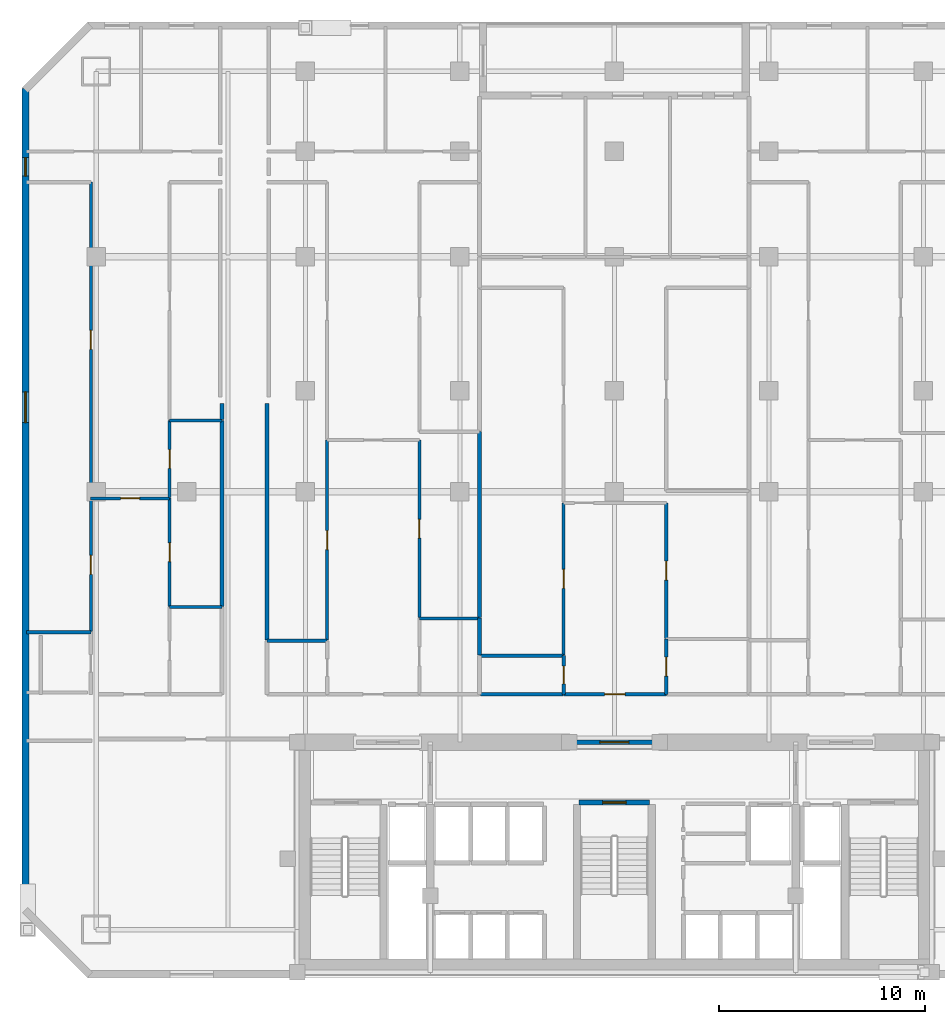
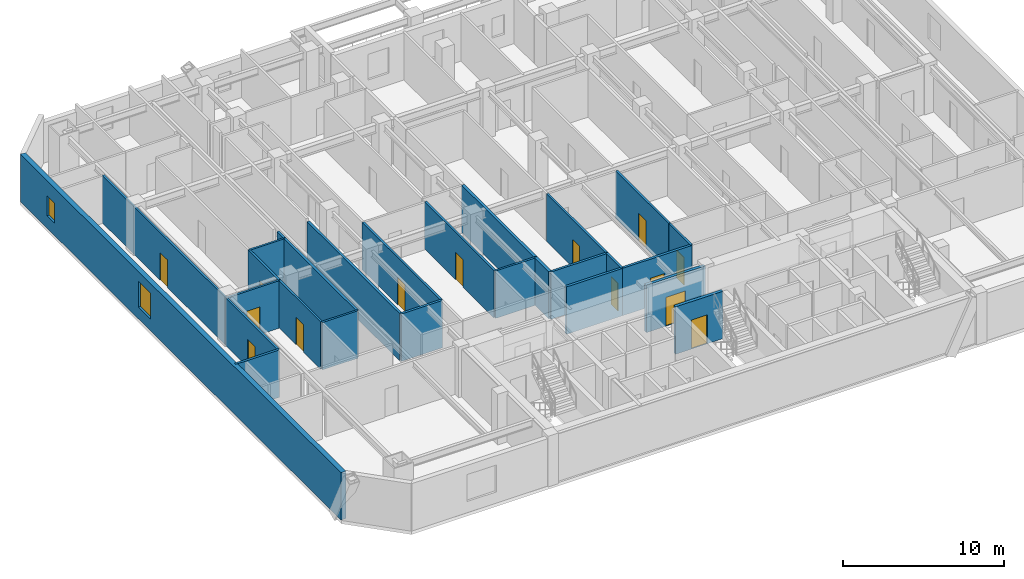
# One storey, part 4 of 10: 27 walls, 14 doors, 2 windows, 16 openings.
"""IFC4 building model written with IfcOpenShell, lengths in metres."""

from ifc_helpers import new_model, si_unit, direction, frame, frame_2d, origin, place, context, subcontext, project, spatial, rectangle, extrude, material, layer, layer_set, type_object, element, fill, save


model = new_model("IFC4")

# Units and contexts
model_context = context("Model", 3, precision=1e-05, world=origin(), true_north=direction((0.0, 1.0)))
body_context = subcontext(model_context, "Body", "Model", "MODEL_VIEW")
ifc_project = project(units=[si_unit("LENGTHUNIT", "METRE"), si_unit("AREAUNIT", "SQUARE_METRE"), si_unit("VOLUMEUNIT", "CUBIC_METRE"), si_unit("PLANEANGLEUNIT", "RADIAN"), si_unit("MASSUNIT", "GRAM", prefix="KILO")], contexts=[model_context])

# Site, building, storey
site_placement = place(None, origin())
site = spatial("IfcSite", under=ifc_project, at=site_placement, CompositionType="ELEMENT")
building_placement = place(site_placement, origin())
building = spatial("IfcBuilding", under=site, at=building_placement, Name="Ventersveld Concourse Tower", CompositionType="ELEMENT")
storey_placement = place(building_placement, frame((0.0, 0.0, 56.75)))
storey = spatial("IfcBuildingStorey", under=building, at=storey_placement, Name="L13", CompositionType="ELEMENT", Elevation=56.75)

# Walls
ifc_material_1 = material(Name="Fire-rated autoclaved aerated masonry blockwork", Category="masonry")
ifc_layer_1 = layer(ifc_material_1, 0.179931640625)
ifc_layer_set_1 = layer_set([ifc_layer_1], Name="Fire-rated autoclaved aerated masonry blockwork")
wall_type_1 = type_object("IfcWallType", Name="WL-CORR-180", PredefinedType="PARTITIONING", material=ifc_layer_set_1)
wall_1_placement = place(storey_placement, frame((9.7099609375, 18.04052734375, 0.0), z_axis=(0.0, 0.0, 1.0), x_axis=(0.0, 1.0, 0.0)))
element("IfcWall", 1, at=wall_1_placement, inside=storey, type_object=wall_type_1, Name="L13 Interior Partition SP-L13-COR-SP-L13-13NW-DENR", PredefinedType="PARTITIONING", context=body_context, shape_type="SweptSolid", body=[
    extrude(rectangle(XDim=9.024169921875, YDim=0.179931640625, at=frame_2d((4.51220703125, 0.0))), origin(), (0.0, 0.0, 1.0), 3.60009765625),
])
wall_2_placement = place(storey_placement, frame((9.7099609375, 27.0947265625, 0.0), z_axis=(0.0, 0.0, 1.0), x_axis=(0.0, 1.0, 0.0)))
element("IfcWall", 2, at=wall_2_placement, inside=storey, type_object=wall_type_1, Name="L13 Interior Partition SP-L13-COR-SP-L13-13NW-DENS", PredefinedType="PARTITIONING", context=body_context, shape_type="SweptSolid", body=[
    extrude(rectangle(XDim=0.80029296875, YDim=0.179931640625, at=frame_2d((0.400146484375, 0.0))), origin(), (0.0, 0.0, 1.0), 3.60009765625),
])
wall_3_placement = place(storey_placement, frame((11.889892578125, 16.395751953125, 0.0), z_axis=(0.0, 0.0, 1.0), x_axis=(0.0, 1.0, 0.0)))
element("IfcWall", 3, at=wall_3_placement, inside=storey, type_object=wall_type_1, Name="L13 Interior Partition SP-L13-COR-SP-L13-13CW-DENL", PredefinedType="PARTITIONING", context=body_context, shape_type="SweptSolid", body=[
    extrude(rectangle(XDim=11.499267578125, YDim=0.179931640625, at=frame_2d((5.74951171875, 0.0))), origin(), (0.0, 0.0, 1.0), 3.60009765625),
])

# Wall, opening, door
wall_4_placement = place(storey_placement, frame((26.28173828125, 13.77001953125, 0.0), z_axis=(0.0, 0.0, 1.0), x_axis=(1.0, 0.0, 0.0)))
wall_4 = element("IfcWall", 4, at=wall_4_placement, inside=storey, type_object=wall_type_1, Name="L13 Interior Partition SP-L13-COR-SP-L13-13CM-FOY", PredefinedType="PARTITIONING", context=body_context, shape_type="SweptSolid", body=[
    extrude(rectangle(XDim=4.989990234375, YDim=0.179931640625, at=frame_2d((2.4951171875, 0.0))), origin(), (0.0, 0.0, 1.0), 3.60009765625),
])
opening_1_placement = place(wall_4_placement, frame((1.9951171875, 0.0, 0.0)))
opening_1 = element("IfcOpeningElement", 5, at=opening_1_placement, cuts=wall_4, Name="Opening FD3", PredefinedType="OPENING", context=body_context, shape_type="SweptSolid", body=[
    extrude(rectangle(XDim=1.0, YDim=2.14990234375, at=frame_2d((0.5, 1.074951171875))), frame((0.0, 0.10009765625, 0.0), z_axis=(0.0, -1.0, 0.0), x_axis=(1.0, 0.0, 0.0)), (0.0, 0.0, 1.0), 0.199951171875),
])
ifc_material_2 = material(Name="Solid-core hardwood veneer timber", Category="wood")
door_type_1 = type_object("IfcDoorType", Name="DR-FLAT-100", OperationType="NOTDEFINED", PredefinedType="DOOR", material=ifc_material_2)
door_1_placement = place(opening_1_placement, origin())
door_1 = element("IfcDoor", 6, at=door_1_placement, inside=storey, type_object=door_type_1, Name="L13 Interior Door SP-L13-COR to SP-L13-13CM-FOY (FD-L13-0548)", OperationType="SINGLE_SWING_RIGHT", OverallHeight=2.14990234375, OverallWidth=1.0, PredefinedType="DOOR", context=body_context, shape_type="SweptSolid", body=[
    extrude(rectangle(XDim=1.0, YDim=2.14990234375, at=frame_2d((0.5, 1.074951171875))), frame((0.0, 0.02490234375, 0.0), z_axis=(0.0, -1.0, 0.0), x_axis=(1.0, 0.0, 0.0)), (0.0, 0.0, 1.0), 0.050048828125),
])
fill(opening_1, door_1)

# Walls
wall_5_placement = place(storey_placement, frame((22.2451171875, 13.77001953125, 0.0), z_axis=(0.0, 0.0, 1.0), x_axis=(1.0, 0.0, 0.0)))
element("IfcWall", 7, at=wall_5_placement, inside=storey, type_object=wall_type_1, Name="L13 Interior Partition SP-L13-COR-SP-L13-13CM-BATH", PredefinedType="PARTITIONING", context=body_context, shape_type="SweptSolid", body=[
    extrude(rectangle(XDim=4.006591796875, YDim=0.179931640625, at=frame_2d((2.00341796875, 0.0))), origin(), (0.0, 0.0, 1.0), 3.60009765625),
])
ifc_layer_2 = layer(ifc_material_1, 0.199951171875)
ifc_layer_set_2 = layer_set([ifc_layer_2], Name="Fire-rated autoclaved aerated masonry blockwork")
wall_type_2 = type_object("IfcWallType", Name="WL-DEMISE-200", PredefinedType="PARTITIONING", material=ifc_layer_set_2)
wall_6_placement = place(storey_placement, frame((22.2099609375, 15.6787109375, 0.0), z_axis=(0.0, 0.0, 1.0), x_axis=(0.0, 1.0, 0.0)))
element("IfcWall", 8, at=wall_6_placement, inside=storey, type_object=wall_type_2, Name="L13 Interior Partition SP-L13-13CW-KIT-SP-L13-13CM-DENL", PredefinedType="PARTITIONING", context=body_context, shape_type="SweptSolid", body=[
    extrude(rectangle(XDim=1.78271484375, YDim=0.199951171875, at=frame_2d((0.891357421875, 0.0))), origin(), (0.0, 0.0, 1.0), 3.60009765625),
])
wall_7_placement = place(storey_placement, frame((22.2099609375, 17.491455078125, 0.0), z_axis=(0.0, 0.0, 1.0), x_axis=(0.0, 1.0, 0.0)))
element("IfcWall", 9, at=wall_7_placement, inside=storey, type_object=wall_type_2, Name="L13 Interior Partition SP-L13-13CW-DENR-SP-L13-13CM-DENL", PredefinedType="PARTITIONING", context=body_context, shape_type="SweptSolid", body=[
    extrude(rectangle(XDim=9.024169921875, YDim=0.199951171875, at=frame_2d((4.51220703125, 0.0))), origin(), (0.0, 0.0, 1.0), 3.60009765625),
])

# Wall, opening, door
ifc_layer_3 = layer(ifc_material_1, 0.219970703125)
ifc_layer_set_3 = layer_set([ifc_layer_3], Name="Fire-rated autoclaved aerated masonry blockwork")
wall_type_3 = type_object("IfcWallType", Name="WL-HOIST-220", PredefinedType="SOLIDWALL", material=ifc_layer_set_3)
wall_8_placement = place(storey_placement, frame((27.0400390625, 8.52001953125, 0.0), z_axis=(0.0, 0.0, 1.0), x_axis=(1.0, 0.0, 0.0)))
wall_8 = element("IfcWall", 10, at=wall_8_placement, inside=storey, type_object=wall_type_3, Name="L13 Escape Stair ST03 Fire Wall", PredefinedType="SOLIDWALL", context=body_context, shape_type="SweptSolid", body=[
    extrude(rectangle(XDim=3.419921875, YDim=0.219970703125, at=frame_2d((1.7099609375, 0.0))), origin(), (0.0, 0.0, 1.0), 3.60009765625),
])
opening_2_placement = place(wall_8_placement, frame((1.135009765625, 0.0, 0.0)))
opening_2 = element("IfcOpeningElement", 11, at=opening_2_placement, cuts=wall_8, Name="Opening FD1", PredefinedType="OPENING", context=body_context, shape_type="SweptSolid", body=[
    extrude(rectangle(XDim=1.14990234375, YDim=2.199951171875, at=frame_2d((0.574951171875, 1.10009765625))), frame((0.0, 0.1201171875, 0.0), z_axis=(0.0, -1.0, 0.0), x_axis=(1.0, 0.0, 0.0)), (0.0, 0.0, 1.0), 0.239990234375),
])
ifc_material_3 = material(Name="Galvanised painted steel", Category="steel")
door_type_2 = type_object("IfcDoorType", Name="DR-STAIR-115", OperationType="NOTDEFINED", PredefinedType="DOOR", material=ifc_material_3)
door_2_placement = place(opening_2_placement, origin())
door_2 = element("IfcDoor", 12, at=door_2_placement, inside=storey, type_object=door_type_2, Name="L13 Escape Stair Door ST03 (SD-L13-0533)", OperationType="SINGLE_SWING_LEFT", OverallHeight=2.199951171875, OverallWidth=1.14990234375, PredefinedType="DOOR", context=body_context, shape_type="SweptSolid", body=[
    extrude(rectangle(XDim=1.14990234375, YDim=2.199951171875, at=frame_2d((0.574951171875, 1.10009765625))), frame((0.0, 0.02490234375, 0.0), z_axis=(0.0, -1.0, 0.0), x_axis=(1.0, 0.0, 0.0)), (0.0, 0.0, 1.0), 0.050048828125),
])
fill(opening_2, door_2)

wall_9_placement = place(storey_placement, frame((26.6298828125, 11.449951171875, 0.0), z_axis=(0.0, 0.0, 1.0), x_axis=(1.0, 0.0, 0.0)))
wall_9 = element("IfcWall", 13, at=wall_9_placement, inside=storey, type_object=wall_type_3, Name="L13 Core North Fire Portal PLOB-OUT", PredefinedType="SOLIDWALL", context=body_context, shape_type="SweptSolid", body=[
    extrude(rectangle(XDim=4.240234375, YDim=0.219970703125, at=frame_2d((2.1201171875, 0.0))), origin(), (0.0, 0.0, 1.0), 3.60009765625),
])
opening_3_placement = place(wall_9_placement, frame((1.419921875, 0.0, 0.0)))
opening_3 = element("IfcOpeningElement", 14, at=opening_3_placement, cuts=wall_9, Name="Opening FD4", PredefinedType="OPENING", context=body_context, shape_type="SweptSolid", body=[
    extrude(rectangle(XDim=1.39990234375, YDim=2.199951171875, at=frame_2d((0.699951171875, 1.10009765625))), frame((0.0, 0.1201171875, 0.0), z_axis=(0.0, -1.0, 0.0), x_axis=(1.0, 0.0, 0.0)), (0.0, 0.0, 1.0), 0.239990234375),
])
door_type_3 = type_object("IfcDoorType", Name="DR-PLANT-140", OperationType="DOUBLE_DOOR_SINGLE_SWING", PredefinedType="DOOR", material=ifc_material_3)
door_3_placement = place(opening_3_placement, origin())
door_3 = element("IfcDoor", 15, at=door_3_placement, inside=storey, type_object=door_type_3, Name="L13 Core Lobby Fire Door PLOB-OUT (FD-L13-0537)", OperationType="DOUBLE_DOOR_SINGLE_SWING", OverallHeight=2.199951171875, OverallWidth=1.39990234375, PredefinedType="DOOR", context=body_context, shape_type="SweptSolid", body=[
    extrude(rectangle(XDim=1.39990234375, YDim=2.199951171875, at=frame_2d((0.699951171875, 1.10009765625))), frame((0.0, 0.02490234375, 0.0), z_axis=(0.0, -1.0, 0.0), x_axis=(1.0, 0.0, 0.0)), (0.0, 0.0, 1.0), 0.050048828125),
])
fill(opening_3, door_3)

ifc_material_4 = material(Name="Autoclaved aerated masonry blockwork", Category="masonry")
ifc_layer_4 = layer(ifc_material_4, 0.14990234375)
ifc_layer_set_4 = layer_set([ifc_layer_4], Name="Autoclaved aerated masonry blockwork")
wall_type_4 = type_object("IfcWallType", Name="WL-INT-150", PredefinedType="PARTITIONING", material=ifc_layer_set_4)
wall_10_placement = place(storey_placement, frame((3.3359375, 23.2822265625, 0.0), z_axis=(0.0, 0.0, 1.0), x_axis=(1.0, 0.0, 0.0)))
wall_10 = element("IfcWall", 16, at=wall_10_placement, inside=storey, type_object=wall_type_4, Name="L13 Interior Partition SP-L13-13NW-FOY-SP-L13-13NW-LIV", PredefinedType="PARTITIONING", context=body_context, shape_type="SweptSolid", body=[
    extrude(rectangle(XDim=3.83203125, YDim=0.14990234375, at=frame_2d((1.916015625, 0.0))), origin(), (0.0, 0.0, 1.0), 3.60009765625),
])
opening_4_placement = place(wall_10_placement, frame((1.4560546875, 0.0, 0.0)))
opening_4 = element("IfcOpeningElement", 17, at=opening_4_placement, cuts=wall_10, Name="Opening ID1", PredefinedType="OPENING", context=body_context, shape_type="SweptSolid", body=[
    extrude(rectangle(XDim=0.919921875, YDim=2.10009765625, at=frame_2d((0.4599609375, 1.050048828125))), frame((0.0, 0.0849609375, 0.0), z_axis=(0.0, -1.0, 0.0), x_axis=(1.0, 0.0, 0.0)), (0.0, 0.0, 1.0), 0.169921875),
])
door_type_4 = type_object("IfcDoorType", Name="DR-ROOM-092", OperationType="NOTDEFINED", PredefinedType="DOOR", material=ifc_material_2)
door_4_placement = place(opening_4_placement, origin())
door_4 = element("IfcDoor", 18, at=door_4_placement, inside=storey, type_object=door_type_4, Name="L13 Interior Door SP-L13-13NW-FOY to SP-L13-13NW-LIV (D-L13-0549)", OperationType="SINGLE_SWING_LEFT", OverallHeight=2.10009765625, OverallWidth=0.919921875, PredefinedType="DOOR", context=body_context, shape_type="SweptSolid", body=[
    extrude(rectangle(XDim=0.919921875, YDim=2.10009765625, at=frame_2d((0.4599609375, 1.050048828125))), frame((0.0, 0.02490234375, 0.0), z_axis=(0.0, -1.0, 0.0), x_axis=(1.0, 0.0, 0.0)), (0.0, 0.0, 1.0), 0.050048828125),
])
fill(opening_4, door_4)

wall_11_placement = place(storey_placement, frame((3.3408203125, 16.81640625, 0.0), z_axis=(0.0, 0.0, 1.0), x_axis=(0.0, 1.0, 0.0)))
wall_11 = element("IfcWall", 19, at=wall_11_placement, inside=storey, type_object=wall_type_4, Name="L13 Interior Partition SP-L13-13NW-FOY-SP-L13-13NW-SEML0", PredefinedType="PARTITIONING", context=body_context, shape_type="SweptSolid", body=[
    extrude(rectangle(XDim=6.470703125, YDim=0.14990234375, at=frame_2d((3.2353515625, 0.0))), origin(), (0.0, 0.0, 1.0), 3.60009765625),
])
opening_5_placement = place(wall_11_placement, frame((2.775390625, 0.0, 0.0)))
opening_5 = element("IfcOpeningElement", 20, at=opening_5_placement, cuts=wall_11, Name="Opening ID1", PredefinedType="OPENING", context=body_context, shape_type="SweptSolid", body=[
    extrude(rectangle(XDim=0.919921875, YDim=2.10009765625, at=frame_2d((0.4599609375, 1.050048828125))), frame((0.0, 0.0849609375, 0.0), z_axis=(0.0, -1.0, 0.0), x_axis=(1.0, 0.0, 0.0)), (0.0, 0.0, 1.0), 0.169921875),
])
door_5_placement = place(opening_5_placement, origin())
door_5 = element("IfcDoor", 21, at=door_5_placement, inside=storey, type_object=door_type_4, Name="L13 Interior Door SP-L13-13NW-FOY to SP-L13-13NW-SEML0 (D-L13-0551)", OperationType="SINGLE_SWING_LEFT", OverallHeight=2.10009765625, OverallWidth=0.919921875, PredefinedType="DOOR", context=body_context, shape_type="SweptSolid", body=[
    extrude(rectangle(XDim=0.919921875, YDim=2.10009765625, at=frame_2d((0.4599609375, 1.050048828125))), frame((0.0, 0.02490234375, 0.0), z_axis=(0.0, -1.0, 0.0), x_axis=(1.0, 0.0, 0.0)), (0.0, 0.0, 1.0), 0.050048828125),
])
fill(opening_5, door_5)

wall_12_placement = place(storey_placement, frame((7.162841796875, 18.04052734375, 0.0), z_axis=(0.0, 0.0, 1.0), x_axis=(0.0, 1.0, 0.0)))
wall_12 = element("IfcWall", 22, at=wall_12_placement, inside=storey, type_object=wall_type_4, Name="L13 Interior Partition SP-L13-13NW-FOY-SP-L13-13NW-DENR", PredefinedType="PARTITIONING", context=body_context, shape_type="SweptSolid", body=[
    extrude(rectangle(XDim=5.24658203125, YDim=0.14990234375, at=frame_2d((2.623291015625, 0.0))), origin(), (0.0, 0.0, 1.0), 3.60009765625),
])
opening_6_placement = place(wall_12_placement, frame((2.163330078125, 0.0, 0.0)))
opening_6 = element("IfcOpeningElement", 23, at=opening_6_placement, cuts=wall_12, Name="Opening ID1", PredefinedType="OPENING", context=body_context, shape_type="SweptSolid", body=[
    extrude(rectangle(XDim=0.919921875, YDim=2.10009765625, at=frame_2d((0.4599609375, 1.050048828125))), frame((0.0, 0.0849609375, 0.0), z_axis=(0.0, -1.0, 0.0), x_axis=(1.0, 0.0, 0.0)), (0.0, 0.0, 1.0), 0.169921875),
])
door_6_placement = place(opening_6_placement, origin())
door_6 = element("IfcDoor", 24, at=door_6_placement, inside=storey, type_object=door_type_4, Name="L13 Interior Door SP-L13-13NW-FOY to SP-L13-13NW-DENR (D-L13-0553)", OperationType="SINGLE_SWING_LEFT", OverallHeight=2.10009765625, OverallWidth=0.919921875, PredefinedType="DOOR", context=body_context, shape_type="SweptSolid", body=[
    extrude(rectangle(XDim=0.919921875, YDim=2.10009765625, at=frame_2d((0.4599609375, 1.050048828125))), frame((0.0, 0.02490234375, 0.0), z_axis=(0.0, -1.0, 0.0), x_axis=(1.0, 0.0, 0.0)), (0.0, 0.0, 1.0), 0.050048828125),
])
fill(opening_6, door_6)

wall_13_placement = place(storey_placement, frame((3.3408203125, 23.317138671875, 0.0), z_axis=(0.0, 0.0, 1.0), x_axis=(0.0, 1.0, 0.0)))
wall_13 = element("IfcWall", 25, at=wall_13_placement, inside=storey, type_object=wall_type_4, Name="L13 Interior Partition SP-L13-13NW-LIV-SP-L13-13NW-SEML0", PredefinedType="PARTITIONING", context=body_context, shape_type="SweptSolid", body=[
    extrude(rectangle(XDim=15.307861328125, YDim=0.14990234375, at=frame_2d((7.65380859375, 0.0))), origin(), (0.0, 0.0, 1.0), 3.60009765625),
])
opening_7_placement = place(wall_13_placement, frame((7.19384765625, 0.0, 0.0)))
opening_7 = element("IfcOpeningElement", 26, at=opening_7_placement, cuts=wall_13, Name="Opening ID1", PredefinedType="OPENING", context=body_context, shape_type="SweptSolid", body=[
    extrude(rectangle(XDim=0.919921875, YDim=2.10009765625, at=frame_2d((0.4599609375, 1.050048828125))), frame((0.0, 0.0849609375, 0.0), z_axis=(0.0, -1.0, 0.0), x_axis=(1.0, 0.0, 0.0)), (0.0, 0.0, 1.0), 0.169921875),
])
door_7_placement = place(opening_7_placement, origin())
door_7 = element("IfcDoor", 27, at=door_7_placement, inside=storey, type_object=door_type_4, Name="L13 Interior Door SP-L13-13NW-LIV to SP-L13-13NW-SEML0 (D-L13-0554)", OperationType="SINGLE_SWING_RIGHT", OverallHeight=2.10009765625, OverallWidth=0.919921875, PredefinedType="DOOR", context=body_context, shape_type="SweptSolid", body=[
    extrude(rectangle(XDim=0.919921875, YDim=2.10009765625, at=frame_2d((0.4599609375, 1.050048828125))), frame((0.0, 0.02490234375, 0.0), z_axis=(0.0, -1.0, 0.0), x_axis=(1.0, 0.0, 0.0)), (0.0, 0.0, 1.0), 0.050048828125),
])
fill(opening_7, door_7)

wall_14_placement = place(storey_placement, frame((7.162841796875, 23.317138671875, 0.0), z_axis=(0.0, 0.0, 1.0), x_axis=(0.0, 1.0, 0.0)))
wall_14 = element("IfcWall", 28, at=wall_14_placement, inside=storey, type_object=wall_type_4, Name="L13 Interior Partition SP-L13-13NW-LIV-SP-L13-13NW-DENR", PredefinedType="PARTITIONING", context=body_context, shape_type="SweptSolid", body=[
    extrude(rectangle(XDim=3.74755859375, YDim=0.14990234375, at=frame_2d((1.873779296875, 0.0))), origin(), (0.0, 0.0, 1.0), 3.60009765625),
])
opening_8_placement = place(wall_14_placement, frame((1.413818359375, 0.0, 0.0)))
opening_8 = element("IfcOpeningElement", 29, at=opening_8_placement, cuts=wall_14, Name="Opening ID1", PredefinedType="OPENING", context=body_context, shape_type="SweptSolid", body=[
    extrude(rectangle(XDim=0.919921875, YDim=2.10009765625, at=frame_2d((0.4599609375, 1.050048828125))), frame((0.0, 0.0849609375, 0.0), z_axis=(0.0, -1.0, 0.0), x_axis=(1.0, 0.0, 0.0)), (0.0, 0.0, 1.0), 0.169921875),
])
door_8_placement = place(opening_8_placement, origin())
door_8 = element("IfcDoor", 30, at=door_8_placement, inside=storey, type_object=door_type_4, Name="L13 Interior Door SP-L13-13NW-LIV to SP-L13-13NW-DENR (D-L13-0555)", OperationType="SINGLE_SWING_LEFT", OverallHeight=2.10009765625, OverallWidth=0.919921875, PredefinedType="DOOR", context=body_context, shape_type="SweptSolid", body=[
    extrude(rectangle(XDim=0.919921875, YDim=2.10009765625, at=frame_2d((0.4599609375, 1.050048828125))), frame((0.0, 0.02490234375, 0.0), z_axis=(0.0, -1.0, 0.0), x_axis=(1.0, 0.0, 0.0)), (0.0, 0.0, 1.0), 0.050048828125),
])
fill(opening_8, door_8)

# Walls
for number, where, z_axis, x_axis, name in (
    (31, (7.157958984375, 18.005615234375, 0.0), (0.0, 0.0, 1.0), (1.0, 0.0, 0.0), "L13 Interior Partition SP-L13-13NW-KIT-SP-L13-13NW-DENR"),
    (32, (7.157958984375, 27.059814453125, 0.0), (0.0, 0.0, 1.0), (1.0, 0.0, 0.0), "L13 Interior Partition SP-L13-13NW-DENR-SP-L13-13NW-DENS"),
):
    element("IfcWall", number, at=place(storey_placement, frame(where, z_axis=z_axis, x_axis=x_axis)), inside=storey, type_object=wall_type_4, Name=name, PredefinedType="PARTITIONING", context=body_context, shape_type="SweptSolid", body=[
        extrude(rectangle(XDim=2.55712890625, YDim=0.14990234375, at=frame_2d((1.278564453125, 0.0))), origin(), (0.0, 0.0, 1.0), 3.60009765625),
    ])

# Wall, opening, door
wall_15_placement = place(storey_placement, frame((14.807861328125, 16.395751953125, 0.0), z_axis=(0.0, 0.0, 1.0), x_axis=(0.0, 1.0, 0.0)))
wall_15 = element("IfcWall", 33, at=wall_15_placement, inside=storey, type_object=wall_type_4, Name="L13 Interior Partition SP-L13-13CW-FOY-SP-L13-13CW-DENL", PredefinedType="PARTITIONING", context=body_context, shape_type="SweptSolid", body=[
    extrude(rectangle(XDim=9.720947265625, YDim=0.14990234375, at=frame_2d((4.8603515625, 0.0))), origin(), (0.0, 0.0, 1.0), 3.60009765625),
])
opening_9_placement = place(wall_15_placement, frame((4.400390625, 0.0, 0.0)))
opening_9 = element("IfcOpeningElement", 34, at=opening_9_placement, cuts=wall_15, Name="Opening ID1", PredefinedType="OPENING", context=body_context, shape_type="SweptSolid", body=[
    extrude(rectangle(XDim=0.919921875, YDim=2.10009765625, at=frame_2d((0.4599609375, 1.050048828125))), frame((0.0, 0.0849609375, 0.0), z_axis=(0.0, -1.0, 0.0), x_axis=(1.0, 0.0, 0.0)), (0.0, 0.0, 1.0), 0.169921875),
])
door_9_placement = place(opening_9_placement, origin())
door_9 = element("IfcDoor", 35, at=door_9_placement, inside=storey, type_object=door_type_4, Name="L13 Interior Door SP-L13-13CW-FOY to SP-L13-13CW-DENL (D-L13-0570)", OperationType="SINGLE_SWING_RIGHT", OverallHeight=2.10009765625, OverallWidth=0.919921875, PredefinedType="DOOR", context=body_context, shape_type="SweptSolid", body=[
    extrude(rectangle(XDim=0.919921875, YDim=2.10009765625, at=frame_2d((0.4599609375, 1.050048828125))), frame((0.0, 0.02490234375, 0.0), z_axis=(0.0, -1.0, 0.0), x_axis=(1.0, 0.0, 0.0)), (0.0, 0.0, 1.0), 0.050048828125),
])
fill(opening_9, door_9)

wall_16_placement = place(storey_placement, frame((19.292236328125, 17.491455078125, 0.0), z_axis=(0.0, 0.0, 1.0), x_axis=(0.0, 1.0, 0.0)))
wall_16 = element("IfcWall", 36, at=wall_16_placement, inside=storey, type_object=wall_type_4, Name="L13 Interior Partition SP-L13-13CW-FOY-SP-L13-13CW-DENR", PredefinedType="PARTITIONING", context=body_context, shape_type="SweptSolid", body=[
    extrude(rectangle(XDim=8.625244140625, YDim=0.14990234375, at=frame_2d((4.3125, 0.0))), origin(), (0.0, 0.0, 1.0), 3.60009765625),
])
opening_10_placement = place(wall_16_placement, frame((3.8525390625, 0.0, 0.0)))
opening_10 = element("IfcOpeningElement", 37, at=opening_10_placement, cuts=wall_16, Name="Opening ID1", PredefinedType="OPENING", context=body_context, shape_type="SweptSolid", body=[
    extrude(rectangle(XDim=0.919921875, YDim=2.10009765625, at=frame_2d((0.4599609375, 1.050048828125))), frame((0.0, 0.0849609375, 0.0), z_axis=(0.0, -1.0, 0.0), x_axis=(1.0, 0.0, 0.0)), (0.0, 0.0, 1.0), 0.169921875),
])
door_10_placement = place(opening_10_placement, origin())
door_10 = element("IfcDoor", 38, at=door_10_placement, inside=storey, type_object=door_type_4, Name="L13 Interior Door SP-L13-13CW-FOY to SP-L13-13CW-DENR (D-L13-0572)", OperationType="SINGLE_SWING_RIGHT", OverallHeight=2.10009765625, OverallWidth=0.919921875, PredefinedType="DOOR", context=body_context, shape_type="SweptSolid", body=[
    extrude(rectangle(XDim=0.919921875, YDim=2.10009765625, at=frame_2d((0.4599609375, 1.050048828125))), frame((0.0, 0.02490234375, 0.0), z_axis=(0.0, -1.0, 0.0), x_axis=(1.0, 0.0, 0.0)), (0.0, 0.0, 1.0), 0.050048828125),
])
fill(opening_10, door_10)

# Wall
wall_17_placement = place(storey_placement, frame((19.287109375, 17.45654296875, 0.0), z_axis=(0.0, 0.0, 1.0), x_axis=(1.0, 0.0, 0.0)))
element("IfcWall", 39, at=wall_17_placement, inside=storey, type_object=wall_type_4, Name="L13 Interior Partition SP-L13-13CW-KIT-SP-L13-13CW-DENR", PredefinedType="PARTITIONING", context=body_context, shape_type="SweptSolid", body=[
    extrude(rectangle(XDim=2.927978515625, YDim=0.14990234375, at=frame_2d((1.4638671875, 0.0))), origin(), (0.0, 0.0, 1.0), 3.60009765625),
])

# Wall, opening, door
wall_18_placement = place(storey_placement, frame((26.286865234375, 15.6787109375, 0.0), z_axis=(0.0, 0.0, 1.0), x_axis=(0.0, 1.0, 0.0)))
wall_18 = element("IfcWall", 40, at=wall_18_placement, inside=storey, type_object=wall_type_4, Name="L13 Interior Partition SP-L13-13CM-FOY-SP-L13-13CM-DENL", PredefinedType="PARTITIONING", context=body_context, shape_type="SweptSolid", body=[
    extrude(rectangle(XDim=7.38720703125, YDim=0.14990234375, at=frame_2d((3.693603515625, 0.0))), origin(), (0.0, 0.0, 1.0), 3.60009765625),
])
opening_11_placement = place(wall_18_placement, frame((3.233642578125, 0.0, 0.0)))
opening_11 = element("IfcOpeningElement", 41, at=opening_11_placement, cuts=wall_18, Name="Opening ID1", PredefinedType="OPENING", context=body_context, shape_type="SweptSolid", body=[
    extrude(rectangle(XDim=0.919921875, YDim=2.10009765625, at=frame_2d((0.4599609375, 1.050048828125))), frame((0.0, 0.0849609375, 0.0), z_axis=(0.0, -1.0, 0.0), x_axis=(1.0, 0.0, 0.0)), (0.0, 0.0, 1.0), 0.169921875),
])
door_11_placement = place(opening_11_placement, origin())
door_11 = element("IfcDoor", 42, at=door_11_placement, inside=storey, type_object=door_type_4, Name="L13 Interior Door SP-L13-13CM-FOY to SP-L13-13CM-DENL (D-L13-0588)", OperationType="SINGLE_SWING_RIGHT", OverallHeight=2.10009765625, OverallWidth=0.919921875, PredefinedType="DOOR", context=body_context, shape_type="SweptSolid", body=[
    extrude(rectangle(XDim=0.919921875, YDim=2.10009765625, at=frame_2d((0.4599609375, 1.050048828125))), frame((0.0, 0.02490234375, 0.0), z_axis=(0.0, -1.0, 0.0), x_axis=(1.0, 0.0, 0.0)), (0.0, 0.0, 1.0), 0.050048828125),
])
fill(opening_11, door_11)

wall_19_placement = place(storey_placement, frame((31.266845703125, 13.764892578125, 0.0), z_axis=(0.0, 0.0, 1.0), x_axis=(0.0, 1.0, 0.0)))
wall_19 = element("IfcWall", 43, at=wall_19_placement, inside=storey, type_object=wall_type_4, Name="L13 Interior Partition SP-L13-13CM-FOY-SP-L13-13CM-KIT", PredefinedType="PARTITIONING", context=body_context, shape_type="SweptSolid", body=[
    extrude(rectangle(XDim=2.68798828125, YDim=0.14990234375, at=frame_2d((1.343994140625, 0.0))), origin(), (0.0, 0.0, 1.0), 3.60009765625),
])
opening_12_placement = place(wall_19_placement, frame((0.8837890625, 0.0, 0.0)))
opening_12 = element("IfcOpeningElement", 44, at=opening_12_placement, cuts=wall_19, Name="Opening ID1", PredefinedType="OPENING", context=body_context, shape_type="SweptSolid", body=[
    extrude(rectangle(XDim=0.919921875, YDim=2.10009765625, at=frame_2d((0.4599609375, 1.050048828125))), frame((0.0, 0.0849609375, 0.0), z_axis=(0.0, -1.0, 0.0), x_axis=(1.0, 0.0, 0.0)), (0.0, 0.0, 1.0), 0.169921875),
])
door_12_placement = place(opening_12_placement, origin())
door_12 = element("IfcDoor", 45, at=door_12_placement, inside=storey, type_object=door_type_4, Name="L13 Interior Door SP-L13-13CM-FOY to SP-L13-13CM-KIT (D-L13-0589)", OperationType="SINGLE_SWING_LEFT", OverallHeight=2.10009765625, OverallWidth=0.919921875, PredefinedType="DOOR", context=body_context, shape_type="SweptSolid", body=[
    extrude(rectangle(XDim=0.919921875, YDim=2.10009765625, at=frame_2d((0.4599609375, 1.050048828125))), frame((0.0, 0.02490234375, 0.0), z_axis=(0.0, -1.0, 0.0), x_axis=(1.0, 0.0, 0.0)), (0.0, 0.0, 1.0), 0.050048828125),
])
fill(opening_12, door_12)

wall_20_placement = place(storey_placement, frame((31.266845703125, 16.48291015625, 0.0), z_axis=(0.0, 0.0, 1.0), x_axis=(0.0, 1.0, 0.0)))
wall_20 = element("IfcWall", 46, at=wall_20_placement, inside=storey, type_object=wall_type_4, Name="L13 Interior Partition SP-L13-13CM-FOY-SP-L13-13CM-DENR", PredefinedType="PARTITIONING", context=body_context, shape_type="SweptSolid", body=[
    extrude(rectangle(XDim=6.5830078125, YDim=0.14990234375, at=frame_2d((3.29150390625, 0.0))), origin(), (0.0, 0.0, 1.0), 3.60009765625),
])
opening_13_placement = place(wall_20_placement, frame((2.831298828125, 0.0, 0.0)))
opening_13 = element("IfcOpeningElement", 47, at=opening_13_placement, cuts=wall_20, Name="Opening ID1", PredefinedType="OPENING", context=body_context, shape_type="SweptSolid", body=[
    extrude(rectangle(XDim=0.919921875, YDim=2.10009765625, at=frame_2d((0.4599609375, 1.050048828125))), frame((0.0, 0.0849609375, 0.0), z_axis=(0.0, -1.0, 0.0), x_axis=(1.0, 0.0, 0.0)), (0.0, 0.0, 1.0), 0.169921875),
])
door_13_placement = place(opening_13_placement, origin())
door_13 = element("IfcDoor", 48, at=door_13_placement, inside=storey, type_object=door_type_4, Name="L13 Interior Door SP-L13-13CM-FOY to SP-L13-13CM-DENR (D-L13-0590)", OperationType="SINGLE_SWING_RIGHT", OverallHeight=2.10009765625, OverallWidth=0.919921875, PredefinedType="DOOR", context=body_context, shape_type="SweptSolid", body=[
    extrude(rectangle(XDim=0.919921875, YDim=2.10009765625, at=frame_2d((0.4599609375, 1.050048828125))), frame((0.0, 0.02490234375, 0.0), z_axis=(0.0, -1.0, 0.0), x_axis=(1.0, 0.0, 0.0)), (0.0, 0.0, 1.0), 0.050048828125),
])
fill(opening_13, door_13)

# Wall, openings, windows
ifc_material_5 = material(Name="Precast concrete C45/55", Category="concrete")
ifc_layer_5 = layer(ifc_material_5, 0.35009765625)
ifc_layer_set_5 = layer_set([ifc_layer_5], Name="Precast concrete C45/55")
wall_type_5 = type_object("IfcWallType", Name="WL-PREC-350", PredefinedType="SOLIDWALL", material=ifc_layer_set_5)
wall_21_placement = place(storey_placement, frame((0.175048828125, 43.159912109375, 0.0), z_axis=(0.0, 0.0, 1.0), x_axis=(0.0, -1.0, 0.0)))
wall_21 = element("IfcWall", 49, at=wall_21_placement, inside=storey, type_object=wall_type_5, Name="L13 Highveld Precast Facade Wall E11", PredefinedType="SOLIDWALL", context=body_context, shape_type="SweptSolid", body=[
    extrude(rectangle(XDim=39.919921875, YDim=0.35009765625, at=frame_2d((19.9599609375, 0.0))), origin(), (0.0, 0.0, 1.0), 3.60009765625),
])
opening_14_placement = place(wall_21_placement, frame((3.340087890625, 0.0, 0.949951171875)))
opening_14 = element("IfcOpeningElement", 50, at=opening_14_placement, cuts=wall_21, Name="Opening W4", PredefinedType="OPENING", context=body_context, shape_type="SweptSolid", body=[
    extrude(rectangle(XDim=0.89990234375, YDim=1.5, at=frame_2d((0.449951171875, 0.75))), frame((0.0, 0.18505859375, 0.0), z_axis=(0.0, -1.0, 0.0), x_axis=(1.0, 0.0, 0.0)), (0.0, 0.0, 1.0), 0.3701171875),
])
opening_15_placement = place(wall_21_placement, frame((14.709228515625, 0.0, 0.89990234375)))
opening_15 = element("IfcOpeningElement", 51, at=opening_15_placement, cuts=wall_21, Name="Opening W1", PredefinedType="OPENING", context=body_context, shape_type="SweptSolid", body=[
    extrude(rectangle(XDim=1.5, YDim=1.949951171875, at=frame_2d((0.75, 0.97509765625))), frame((0.0, 0.18505859375, 0.0), z_axis=(0.0, -1.0, 0.0), x_axis=(1.0, 0.0, 0.0)), (0.0, 0.0, 1.0), 0.3701171875),
])
ifc_material_6 = material(Name="Tempered acoustic Low-E IGU", Category="glass")
window_type_1 = type_object("IfcWindowType", Name="WIN-090x150", PartitioningType="SINGLE_PANEL", PredefinedType="WINDOW", material=ifc_material_6)
window_1_placement = place(opening_14_placement, origin())
window_1 = element("IfcWindow", 52, at=window_1_placement, inside=storey, type_object=window_type_1, Name="L13 Punched Low-E Window W-0093", OverallHeight=1.5, OverallWidth=0.89990234375, PartitioningType="SINGLE_PANEL", PredefinedType="WINDOW", context=body_context, shape_type="SweptSolid", body=[
    extrude(rectangle(XDim=0.89990234375, YDim=1.5, at=frame_2d((0.449951171875, 0.75))), frame((0.0, 0.030029296875, 0.0), z_axis=(0.0, -1.0, 0.0), x_axis=(1.0, 0.0, 0.0)), (0.0, 0.0, 1.0), 0.06005859375),
])
fill(opening_14, window_1)
window_type_2 = type_object("IfcWindowType", Name="WIN-150x210", PartitioningType="SINGLE_PANEL", PredefinedType="WINDOW", material=ifc_material_6)
window_2_placement = place(opening_15_placement, origin())
window_2 = element("IfcWindow", 53, at=window_2_placement, inside=storey, type_object=window_type_2, Name="L13 Punched Low-E Window W-0094", OverallHeight=1.949951171875, OverallWidth=1.5, PartitioningType="SINGLE_PANEL", PredefinedType="WINDOW", context=body_context, shape_type="SweptSolid", body=[
    extrude(rectangle(XDim=1.5, YDim=1.949951171875, at=frame_2d((0.75, 0.97509765625))), frame((0.0, 0.030029296875, 0.0), z_axis=(0.0, -1.0, 0.0), x_axis=(1.0, 0.0, 0.0)), (0.0, 0.0, 1.0), 0.06005859375),
])
fill(opening_15, window_2)

# Walls
ifc_layer_6 = layer(ifc_material_4, 0.1650390625)
ifc_layer_set_6 = layer_set([ifc_layer_6], Name="Autoclaved aerated masonry blockwork")
wall_type_6 = type_object("IfcWallType", Name="WL-WET-165", PredefinedType="PLUMBINGWALL", material=ifc_layer_set_6)
wall_22_placement = place(storey_placement, frame((0.2099609375, 16.781494140625, 0.0), z_axis=(0.0, 0.0, 1.0), x_axis=(1.0, 0.0, 0.0)))
element("IfcWall", 54, at=wall_22_placement, inside=storey, type_object=wall_type_6, Name="L13 Interior Partition SP-L13-13NW-BATH-SP-L13-13NW-SEML0", PredefinedType="PLUMBINGWALL", context=body_context, shape_type="SweptSolid", body=[
    extrude(rectangle(XDim=3.135986328125, YDim=0.1650390625, at=frame_2d((1.56787109375, 0.0))), origin(), (0.0, 0.0, 1.0), 3.60009765625),
])
wall_23_placement = place(storey_placement, frame((11.885009765625, 16.360595703125, 0.0), z_axis=(0.0, 0.0, 1.0), x_axis=(1.0, 0.0, 0.0)))
element("IfcWall", 55, at=wall_23_placement, inside=storey, type_object=wall_type_6, Name="L13 Interior Partition SP-L13-13CW-BATH-SP-L13-13CW-DENL", PredefinedType="PLUMBINGWALL", context=body_context, shape_type="SweptSolid", body=[
    extrude(rectangle(XDim=2.927734375, YDim=0.1650390625, at=frame_2d((1.4638671875, 0.0))), origin(), (0.0, 0.0, 1.0), 3.60009765625),
])

# Wall, opening, door
wall_24_placement = place(storey_placement, frame((26.286865234375, 13.764892578125, 0.0), z_axis=(0.0, 0.0, 1.0), x_axis=(0.0, 1.0, 0.0)))
wall_24 = element("IfcWall", 56, at=wall_24_placement, inside=storey, type_object=wall_type_6, Name="L13 Interior Partition SP-L13-13CM-FOY-SP-L13-13CM-BATH", PredefinedType="PLUMBINGWALL", context=body_context, shape_type="SweptSolid", body=[
    extrude(rectangle(XDim=1.8837890625, YDim=0.1650390625, at=frame_2d((0.94189453125, 0.0))), origin(), (0.0, 0.0, 1.0), 3.60009765625),
])
opening_16_placement = place(wall_24_placement, frame((0.516845703125, 0.0, 0.0)))
opening_16 = element("IfcOpeningElement", 57, at=opening_16_placement, cuts=wall_24, Name="Opening ID2", PredefinedType="OPENING", context=body_context, shape_type="SweptSolid", body=[
    extrude(rectangle(XDim=0.85009765625, YDim=2.10009765625, at=frame_2d((0.425048828125, 1.050048828125))), frame((0.0, 0.092529296875, 0.0), z_axis=(0.0, -1.0, 0.0), x_axis=(1.0, 0.0, 0.0)), (0.0, 0.0, 1.0), 0.18505859375),
])
door_type_5 = type_object("IfcDoorType", Name="DR-BATH-085", OperationType="NOTDEFINED", PredefinedType="DOOR", material=ifc_material_2)
door_14_placement = place(opening_16_placement, origin())
door_14 = element("IfcDoor", 58, at=door_14_placement, inside=storey, type_object=door_type_5, Name="L13 Interior Door SP-L13-13CM-FOY to SP-L13-13CM-BATH (D-L13-0587)", OperationType="SINGLE_SWING_LEFT", OverallHeight=2.10009765625, OverallWidth=0.85009765625, PredefinedType="DOOR", context=body_context, shape_type="SweptSolid", body=[
    extrude(rectangle(XDim=0.85009765625, YDim=2.10009765625, at=frame_2d((0.425048828125, 1.050048828125))), frame((0.0, 0.02490234375, 0.0), z_axis=(0.0, -1.0, 0.0), x_axis=(1.0, 0.0, 0.0)), (0.0, 0.0, 1.0), 0.050048828125),
])
fill(opening_16, door_14)

# Wall
wall_25_placement = place(storey_placement, frame((22.205078125, 15.643798828125, 0.0), z_axis=(0.0, 0.0, 1.0), x_axis=(1.0, 0.0, 0.0)))
element("IfcWall", 59, at=wall_25_placement, inside=storey, type_object=wall_type_6, Name="L13 Interior Partition SP-L13-13CM-BATH-SP-L13-13CM-DENL", PredefinedType="PLUMBINGWALL", context=body_context, shape_type="SweptSolid", body=[
    extrude(rectangle(XDim=4.086669921875, YDim=0.1650390625, at=frame_2d((2.04345703125, 0.0))), origin(), (0.0, 0.0, 1.0), 3.60009765625),
])

save(model, "model.ifc")
